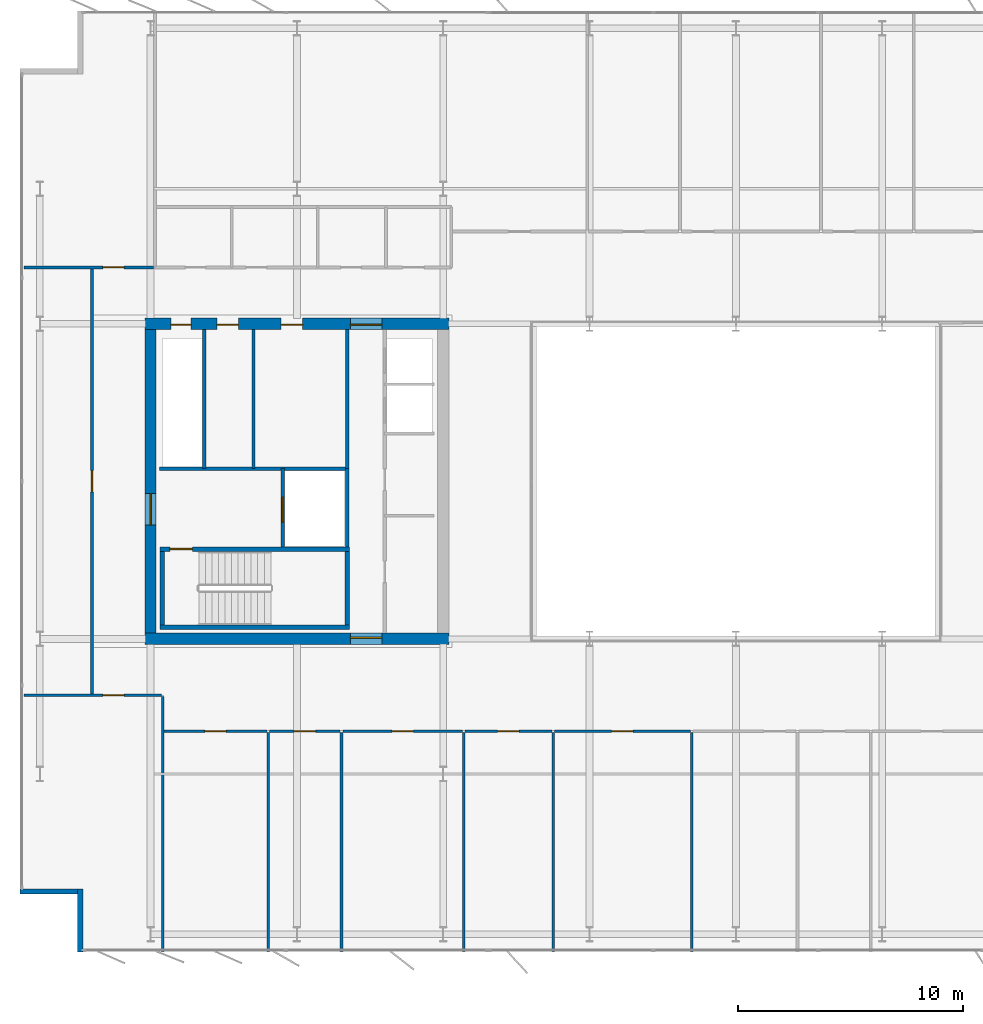
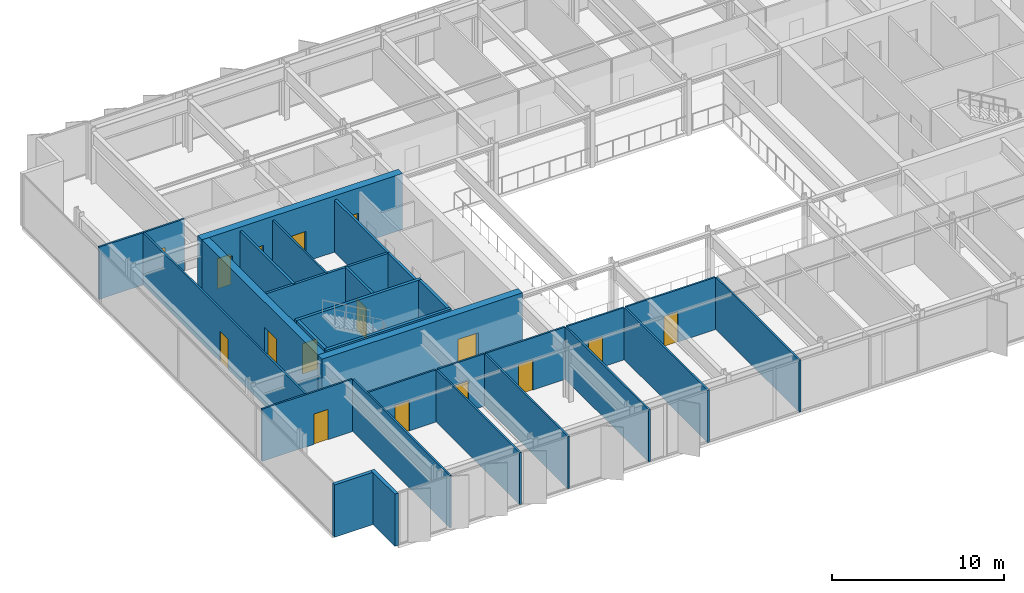
# One storey, part 13 of 20: 29 walls, 16 doors, 16 openings.
"""IFC4 building model written with IfcOpenShell, lengths in metres."""

from ifc_helpers import new_model, si_unit, direction, frame, frame_2d, origin, place, context, subcontext, project, spatial, rectangle, extrude, material, layer, layer_set, type_object, element, fill, save


model = new_model("IFC4")

# Units and contexts
model_context = context("Model", 3, precision=1e-05, world=origin(), true_north=direction((0.0, 1.0)))
body_context = subcontext(model_context, "Body", "Model", "MODEL_VIEW")
ifc_project = project(units=[si_unit("LENGTHUNIT", "METRE"), si_unit("AREAUNIT", "SQUARE_METRE"), si_unit("VOLUMEUNIT", "CUBIC_METRE"), si_unit("PLANEANGLEUNIT", "RADIAN"), si_unit("MASSUNIT", "GRAM", prefix="KILO")], contexts=[model_context])

# Site, building, storey
site_placement = place(None, origin())
site = spatial("IfcSite", under=ifc_project, at=site_placement, CompositionType="ELEMENT")
building_placement = place(site_placement, origin())
building = spatial("IfcBuilding", under=site, at=building_placement, Name="Putna Gate Headquarters", CompositionType="ELEMENT")
storey_placement = place(building_placement, frame((0.0, 0.0, 306.39990234375)))
storey = spatial("IfcBuildingStorey", under=building, at=storey_placement, Name="L77", CompositionType="ELEMENT", Elevation=306.39990234375)

# Wall, opening, door
ifc_material_1 = material(Name="Concrete C50/60", Category="concrete")
ifc_layer_1 = layer(ifc_material_1, 0.5)
ifc_layer_set_1 = layer_set([ifc_layer_1], Name="Concrete C50/60")
wall_type_1 = type_object("IfcWallType", Name="WALL-CORE-500", PredefinedType="SHEAR", material=ifc_layer_set_1)
wall_1_placement = place(storey_placement, frame((12.75, 19.0, 0.0), z_axis=(0.0, 0.0, 1.0), x_axis=(1.0, 0.0, 0.0)))
wall_1 = element("IfcWall", 1, at=wall_1_placement, inside=storey, type_object=wall_type_1, Name="L77 WC Split Core Shear Wall S", PredefinedType="SHEAR", context=body_context, shape_type="SweptSolid", body=[
    extrude(rectangle(XDim=13.5, YDim=0.5, at=frame_2d((6.75, 0.0))), origin(), (0.0, 0.0, 1.0), 4.0),
])
opening_1_placement = place(wall_1_placement, frame((9.1298828125, 0.0, 0.0)))
opening_1 = element("IfcOpeningElement", 2, at=opening_1_placement, cuts=wall_1, Name="Opening FDD-140", PredefinedType="OPENING", context=body_context, shape_type="SweptSolid", body=[
    extrude(rectangle(XDim=1.39990234375, YDim=2.199951171875, at=frame_2d((0.699951171875, 1.10009765625))), frame((0.0, 0.260009765625, 0.0), z_axis=(0.0, -1.0, 0.0), x_axis=(1.0, 0.0, 0.0)), (0.0, 0.0, 1.0), 0.52001953125),
])
ifc_material_2 = material(Name="Double steel fire door", Category="steel")
door_type_1 = type_object("IfcDoorType", Name="DOOR-FIRE-DBL-1400", OperationType="DOUBLE_DOOR_SINGLE_SWING", PredefinedType="DOOR", material=ifc_material_2)
door_1_placement = place(opening_1_placement, origin())
door_1 = element("IfcDoor", 3, at=door_1_placement, inside=storey, type_object=door_type_1, Name="L77 West Lift Lobby South Door", OperationType="DOUBLE_DOOR_SINGLE_SWING", OverallHeight=2.199951171875, OverallWidth=1.39990234375, PredefinedType="DOOR", context=body_context, shape_type="SweptSolid", body=[
    extrude(rectangle(XDim=1.39990234375, YDim=2.199951171875, at=frame_2d((0.699951171875, 1.10009765625))), frame((0.0, 0.0751953125, 0.0), z_axis=(0.0, -1.0, 0.0), x_axis=(1.0, 0.0, 0.0)), (0.0, 0.0, 1.0), 0.050048828125),
])
fill(opening_1, door_1)

# Wall, openings, doors
wall_2_placement = place(storey_placement, frame((12.75, 33.0, 0.0), z_axis=(0.0, 0.0, 1.0), x_axis=(1.0, 0.0, 0.0)))
wall_2 = element("IfcWall", 4, at=wall_2_placement, inside=storey, type_object=wall_type_1, Name="L77 WC Split Core Shear Wall N", PredefinedType="SHEAR", context=body_context, shape_type="SweptSolid", body=[
    extrude(rectangle(XDim=13.5, YDim=0.5, at=frame_2d((6.75, 0.0))), origin(), (0.0, 0.0, 1.0), 4.0),
])
opening_2_placement = place(wall_2_placement, frame((1.14990234375, 0.0, 0.0)))
opening_2 = element("IfcOpeningElement", 5, at=opening_2_placement, cuts=wall_2, Name="Opening RD-90", PredefinedType="OPENING", context=body_context, shape_type="SweptSolid", body=[
    extrude(rectangle(XDim=0.89990234375, YDim=2.14990234375, at=frame_2d((0.449951171875, 1.074951171875))), frame((0.0, 0.260009765625, 0.0), z_axis=(0.0, -1.0, 0.0), x_axis=(1.0, 0.0, 0.0)), (0.0, 0.0, 1.0), 0.52001953125),
])
opening_3_placement = place(wall_2_placement, frame((3.199951171875, 0.0, 0.0)))
opening_3 = element("IfcOpeningElement", 6, at=opening_3_placement, cuts=wall_2, Name="Opening IDS-95", PredefinedType="OPENING", context=body_context, shape_type="SweptSolid", body=[
    extrude(rectangle(XDim=0.949951171875, YDim=2.14990234375, at=frame_2d((0.47509765625, 1.074951171875))), frame((0.0, 0.260009765625, 0.0), z_axis=(0.0, -1.0, 0.0), x_axis=(1.0, 0.0, 0.0)), (0.0, 0.0, 1.0), 0.52001953125),
])
opening_4_placement = place(wall_2_placement, frame((6.050048828125, 0.0, 0.0)))
opening_4 = element("IfcOpeningElement", 7, at=opening_4_placement, cuts=wall_2, Name="Opening IDS-95", PredefinedType="OPENING", context=body_context, shape_type="SweptSolid", body=[
    extrude(rectangle(XDim=0.949951171875, YDim=2.14990234375, at=frame_2d((0.47509765625, 1.074951171875))), frame((0.0, 0.260009765625, 0.0), z_axis=(0.0, -1.0, 0.0), x_axis=(1.0, 0.0, 0.0)), (0.0, 0.0, 1.0), 0.52001953125),
])
opening_5_placement = place(wall_2_placement, frame((9.1298828125, 0.0, 0.0)))
opening_5 = element("IfcOpeningElement", 8, at=opening_5_placement, cuts=wall_2, Name="Opening FDD-140", PredefinedType="OPENING", context=body_context, shape_type="SweptSolid", body=[
    extrude(rectangle(XDim=1.39990234375, YDim=2.199951171875, at=frame_2d((0.699951171875, 1.10009765625))), frame((0.0, 0.260009765625, 0.0), z_axis=(0.0, -1.0, 0.0), x_axis=(1.0, 0.0, 0.0)), (0.0, 0.0, 1.0), 0.52001953125),
])
door_2_placement = place(opening_5_placement, origin())
door_2 = element("IfcDoor", 9, at=door_2_placement, inside=storey, type_object=door_type_1, Name="L77 West Lift Lobby North Door", OperationType="DOUBLE_DOOR_SINGLE_SWING", OverallHeight=2.199951171875, OverallWidth=1.39990234375, PredefinedType="DOOR", context=body_context, shape_type="SweptSolid", body=[
    extrude(rectangle(XDim=1.39990234375, YDim=2.199951171875, at=frame_2d((0.699951171875, 1.10009765625))), frame((0.0, -0.02490234375, 0.0), z_axis=(0.0, -1.0, 0.0), x_axis=(1.0, 0.0, 0.0)), (0.0, 0.0, 1.0), 0.050048828125),
])
fill(opening_5, door_2)
ifc_material_3 = material(Name="Fire-rated service timber door", Category="wood")
door_type_2 = type_object("IfcDoorType", Name="DOOR-INT-950", OperationType="NOTDEFINED", PredefinedType="DOOR", material=ifc_material_3)
door_3_placement = place(opening_3_placement, origin())
door_3 = element("IfcDoor", 10, at=door_3_placement, inside=storey, type_object=door_type_2, Name="L77 Archive Store Door", OperationType="SINGLE_SWING_LEFT", OverallHeight=2.14990234375, OverallWidth=0.949951171875, PredefinedType="DOOR", context=body_context, shape_type="SweptSolid", body=[
    extrude(rectangle(XDim=0.949951171875, YDim=2.14990234375, at=frame_2d((0.47509765625, 1.074951171875))), frame((0.0, -0.02490234375, 0.0), z_axis=(0.0, -1.0, 0.0), x_axis=(1.0, 0.0, 0.0)), (0.0, 0.0, 1.0), 0.050048828125),
])
fill(opening_3, door_3)
door_4_placement = place(opening_4_placement, origin())
door_4 = element("IfcDoor", 11, at=door_4_placement, inside=storey, type_object=door_type_2, Name="L77 Switchgear Plant Door", OperationType="SINGLE_SWING_RIGHT", OverallHeight=2.14990234375, OverallWidth=0.949951171875, PredefinedType="DOOR", context=body_context, shape_type="SweptSolid", body=[
    extrude(rectangle(XDim=0.949951171875, YDim=2.14990234375, at=frame_2d((0.47509765625, 1.074951171875))), frame((0.0, -0.02490234375, 0.0), z_axis=(0.0, -1.0, 0.0), x_axis=(1.0, 0.0, 0.0)), (0.0, 0.0, 1.0), 0.050048828125),
])
fill(opening_4, door_4)
ifc_material_4 = material(Name="Steel riser access fire door", Category="steel")
door_type_3 = type_object("IfcDoorType", Name="DOOR-RISER-900", OperationType="NOTDEFINED", PredefinedType="DOOR", material=ifc_material_4)
door_5_placement = place(opening_2_placement, origin())
door_5 = element("IfcDoor", 12, at=door_5_placement, inside=storey, type_object=door_type_3, Name="L77 West Riser Access Door", OperationType="SINGLE_SWING_RIGHT", OverallHeight=2.14990234375, OverallWidth=0.89990234375, PredefinedType="DOOR", context=body_context, shape_type="SweptSolid", body=[
    extrude(rectangle(XDim=0.89990234375, YDim=2.14990234375, at=frame_2d((0.449951171875, 1.074951171875))), frame((0.0, -0.02490234375, 0.0), z_axis=(0.0, -1.0, 0.0), x_axis=(1.0, 0.0, 0.0)), (0.0, 0.0, 1.0), 0.050048828125),
])
fill(opening_2, door_5)

# Wall, opening, door
wall_3_placement = place(storey_placement, frame((13.0, 19.25, 0.0), z_axis=(0.0, 0.0, 1.0), x_axis=(0.0, 1.0, 0.0)))
wall_3 = element("IfcWall", 13, at=wall_3_placement, inside=storey, type_object=wall_type_1, Name="L77 WC Split Core Shear Wall W", PredefinedType="SHEAR", context=body_context, shape_type="SweptSolid", body=[
    extrude(rectangle(XDim=13.5, YDim=0.5, at=frame_2d((6.75, 0.0))), origin(), (0.0, 0.0, 1.0), 4.0),
])
opening_6_placement = place(wall_3_placement, frame((4.800048828125, 0.0, 0.0)))
opening_6 = element("IfcOpeningElement", 14, at=opening_6_placement, cuts=wall_3, Name="Opening FDD-140", PredefinedType="OPENING", context=body_context, shape_type="SweptSolid", body=[
    extrude(rectangle(XDim=1.39990234375, YDim=2.199951171875, at=frame_2d((0.699951171875, 1.10009765625))), frame((0.0, 0.260009765625, 0.0), z_axis=(0.0, -1.0, 0.0), x_axis=(1.0, 0.0, 0.0)), (0.0, 0.0, 1.0), 0.52001953125),
])
door_6_placement = place(opening_6_placement, origin())
door_6 = element("IfcDoor", 15, at=door_6_placement, inside=storey, type_object=door_type_1, Name="L77 West Firefighting Lobby Door", OperationType="DOUBLE_DOOR_SINGLE_SWING", OverallHeight=2.199951171875, OverallWidth=1.39990234375, PredefinedType="DOOR", context=body_context, shape_type="SweptSolid", body=[
    extrude(rectangle(XDim=1.39990234375, YDim=2.199951171875, at=frame_2d((0.699951171875, 1.10009765625))), frame((0.0, 0.02490234375, 0.0), z_axis=(0.0, -1.0, 0.0), x_axis=(1.0, 0.0, 0.0)), (0.0, 0.0, 1.0), 0.050048828125),
])
fill(opening_6, door_6)

# Walls
ifc_material_5 = material(Name="Precast concrete C40/50", Category="concrete")
ifc_layer_2 = layer(ifc_material_5, 0.239990234375)
ifc_layer_set_2 = layer_set([ifc_layer_2], Name="Precast concrete C40/50")
wall_type_2 = type_object("IfcWallType", Name="WALL-EXT-TERR-240", PredefinedType="STANDARD", material=ifc_layer_set_2)
wall_4_placement = place(storey_placement, frame((9.8798828125, 5.10009765625, 0.0), z_axis=(0.0, 0.0, 1.0), x_axis=(0.0, 1.0, 0.0)))
element("IfcWall", 16, at=wall_4_placement, inside=storey, type_object=wall_type_2, Name="L77 Corner Notch Return Wall SW-V", PredefinedType="STANDARD", context=body_context, shape_type="SweptSolid", body=[
    extrude(rectangle(XDim=2.7998046875, YDim=0.239990234375, at=frame_2d((1.39990234375, 0.0))), origin(), (0.0, 0.0, 1.0), 3.72021484375),
])
wall_5_placement = place(storey_placement, frame((10.0, 7.780029296875, 0.0), z_axis=(0.0, 0.0, 1.0), x_axis=(-1.0, 0.0, 0.0)))
element("IfcWall", 17, at=wall_5_placement, inside=storey, type_object=wall_type_2, Name="L77 Corner Notch Return Wall SW-H", PredefinedType="STANDARD", context=body_context, shape_type="SweptSolid", body=[
    extrude(rectangle(XDim=2.800048828125, YDim=0.239990234375, at=frame_2d((1.39990234375, 0.0))), origin(), (0.0, 0.0, 1.0), 3.72021484375),
])
ifc_material_6 = material(Name="Acoustic gypsum board on metal stud")
ifc_layer_3 = layer(ifc_material_6, 0.1201171875)
ifc_layer_set_3 = layer_set([ifc_layer_3], Name="Acoustic gypsum board on metal stud")
wall_type_3 = type_object("IfcWallType", Name="WALL-PART-120", PredefinedType="PARTITIONING", material=ifc_layer_set_3)
wall_6_placement = place(storey_placement, frame((13.534912109375, 5.1201171875, 0.0), z_axis=(0.0, 0.0, 1.0), x_axis=(0.0, 1.0, 0.0)))
element("IfcWall", 18, at=wall_6_placement, inside=storey, type_object=wall_type_3, Name="L77 Interior Wall PART-L77-SB-DIV-01", PredefinedType="PARTITIONING", context=body_context, shape_type="SweptSolid", body=[
    extrude(rectangle(XDim=11.31982421875, YDim=0.1201171875, at=frame_2d((5.659912109375, 0.0))), origin(), (0.0, 0.0, 1.0), 3.72021484375),
])
for number, where, z_axis, x_axis, name in (
    (19, (18.232666015625, 5.1201171875, 0.0), (0.0, 0.0, 1.0), (0.0, 1.0, 0.0), "L77 Interior Wall PART-L77-SB-DIV-02"),
    (20, (21.479736328125, 5.1201171875, 0.0), (0.0, 0.0, 1.0), (0.0, 1.0, 0.0), "L77 Interior Wall PART-L77-SB-DIV-03"),
    (21, (26.909423828125, 5.1201171875, 0.0), (0.0, 0.0, 1.0), (0.0, 1.0, 0.0), "L77 Interior Wall PART-L77-SB-DIV-04"),
    (22, (30.8818359375, 5.1201171875, 0.0), (0.0, 0.0, 1.0), (0.0, 1.0, 0.0), "L77 Interior Wall PART-L77-SB-DIV-05"),
    (23, (37.036865234375, 5.1201171875, 0.0), (0.0, 0.0, 1.0), (0.0, 1.0, 0.0), "L77 Interior Wall PART-L77-SB-DIV-06"),
):
    element("IfcWall", number, at=place(storey_placement, frame(where, z_axis=z_axis, x_axis=x_axis)), inside=storey, type_object=wall_type_3, Name=name, PredefinedType="PARTITIONING", context=body_context, shape_type="SweptSolid", body=[
        extrude(rectangle(XDim=9.719970703125, YDim=0.1201171875, at=frame_2d((4.85986328125, 0.0))), origin(), (0.0, 0.0, 1.0), 3.72021484375),
    ])
ifc_material_7 = material(Name="Fire-rated gypsum board on metal stud")
ifc_layer_4 = layer(ifc_material_7, 0.1201171875)
ifc_layer_set_4 = layer_set([ifc_layer_4], Name="Fire-rated gypsum board on metal stud")
wall_type_4 = type_object("IfcWallType", Name="WALL-PART-120-RATED", PredefinedType="PARTITIONING", material=ifc_layer_set_4)
wall_7_placement = place(storey_placement, frame((17.570068359375, 26.56005859375, 0.0), z_axis=(0.0, 0.0, 1.0), x_axis=(0.0, 1.0, 0.0)))
element("IfcWall", 24, at=wall_7_placement, inside=storey, type_object=wall_type_4, Name="L77 Interior Wall CWINT-L77-WC-K1-DIV", PredefinedType="PARTITIONING", context=body_context, shape_type="SweptSolid", body=[
    extrude(rectangle(XDim=6.18994140625, YDim=0.1201171875, at=frame_2d((3.094970703125, 0.0))), origin(), (0.0, 0.0, 1.0), 3.72021484375),
])

# Wall, opening, door
wall_8_placement = place(storey_placement, frame((7.3798828125, 35.5, 0.0), z_axis=(0.0, 0.0, 1.0), x_axis=(1.0, 0.0, 0.0)))
wall_8 = element("IfcWall", 25, at=wall_8_placement, inside=storey, type_object=wall_type_4, Name="L77 Interior Wall PART-L77-NB-CW-01", PredefinedType="PARTITIONING", context=body_context, shape_type="SweptSolid", body=[
    extrude(rectangle(XDim=5.760009765625, YDim=0.1201171875, at=frame_2d((2.8798828125, 0.0))), origin(), (0.0, 0.0, 1.0), 3.72021484375),
])
opening_7_placement = place(wall_8_placement, frame((3.5, 0.0, 0.0)))
opening_7 = element("IfcOpeningElement", 26, at=opening_7_placement, cuts=wall_8, Name="Opening FD-95", PredefinedType="OPENING", context=body_context, shape_type="SweptSolid", body=[
    extrude(rectangle(XDim=0.949951171875, YDim=2.14990234375, at=frame_2d((0.47509765625, 1.074951171875))), frame((0.0, 0.070068359375, 0.0), z_axis=(0.0, -1.0, 0.0), x_axis=(1.0, 0.0, 0.0)), (0.0, 0.0, 1.0), 0.14013671875),
])
ifc_material_8 = material(Name="Acoustic timber fire door", Category="wood")
door_type_4 = type_object("IfcDoorType", Name="DOOR-FIRE-950", OperationType="NOTDEFINED", PredefinedType="DOOR", material=ifc_material_8)
door_7_placement = place(opening_7_placement, origin())
door_7 = element("IfcDoor", 27, at=door_7_placement, inside=storey, type_object=door_type_4, Name="L77 Cellular Office 4 Door", OperationType="SINGLE_SWING_RIGHT", OverallHeight=2.14990234375, OverallWidth=0.949951171875, PredefinedType="DOOR", context=body_context, shape_type="SweptSolid", body=[
    extrude(rectangle(XDim=0.949951171875, YDim=2.14990234375, at=frame_2d((0.47509765625, 1.074951171875))), frame((0.0, 0.02490234375, 0.0), z_axis=(0.0, -1.0, 0.0), x_axis=(1.0, 0.0, 0.0)), (0.0, 0.0, 1.0), 0.050048828125),
])
fill(opening_7, door_7)

wall_9_placement = place(storey_placement, frame((7.3798828125, 16.5, 0.0), z_axis=(0.0, 0.0, 1.0), x_axis=(1.0, 0.0, 0.0)))
wall_9 = element("IfcWall", 28, at=wall_9_placement, inside=storey, type_object=wall_type_4, Name="L77 Interior Wall PART-L77-SB-CW-01", PredefinedType="PARTITIONING", context=body_context, shape_type="SweptSolid", body=[
    extrude(rectangle(XDim=6.09521484375, YDim=0.1201171875, at=frame_2d((3.047607421875, 0.0))), origin(), (0.0, 0.0, 1.0), 3.72021484375),
])
opening_8_placement = place(wall_9_placement, frame((3.5, 0.0, 0.0)))
opening_8 = element("IfcOpeningElement", 29, at=opening_8_placement, cuts=wall_9, Name="Opening FD-95", PredefinedType="OPENING", context=body_context, shape_type="SweptSolid", body=[
    extrude(rectangle(XDim=0.949951171875, YDim=2.14990234375, at=frame_2d((0.47509765625, 1.074951171875))), frame((0.0, 0.070068359375, 0.0), z_axis=(0.0, -1.0, 0.0), x_axis=(1.0, 0.0, 0.0)), (0.0, 0.0, 1.0), 0.14013671875),
])
door_8_placement = place(opening_8_placement, origin())
door_8 = element("IfcDoor", 30, at=door_8_placement, inside=storey, type_object=door_type_4, Name="L77 Cellular Office 6 Door", OperationType="SINGLE_SWING_RIGHT", OverallHeight=2.14990234375, OverallWidth=0.949951171875, PredefinedType="DOOR", context=body_context, shape_type="SweptSolid", body=[
    extrude(rectangle(XDim=0.949951171875, YDim=2.14990234375, at=frame_2d((0.47509765625, 1.074951171875))), frame((0.0, 0.02490234375, 0.0), z_axis=(0.0, -1.0, 0.0), x_axis=(1.0, 0.0, 0.0)), (0.0, 0.0, 1.0), 0.050048828125),
])
fill(opening_8, door_8)

wall_10_placement = place(storey_placement, frame((13.594970703125, 14.89990234375, 0.0), z_axis=(0.0, 0.0, 1.0), x_axis=(1.0, 0.0, 0.0)))
wall_10 = element("IfcWall", 31, at=wall_10_placement, inside=storey, type_object=wall_type_4, Name="L77 Interior Wall PART-L77-SB-CW-02", PredefinedType="PARTITIONING", context=body_context, shape_type="SweptSolid", body=[
    extrude(rectangle(XDim=4.57763671875, YDim=0.1201171875, at=frame_2d((2.288818359375, 0.0))), origin(), (0.0, 0.0, 1.0), 3.72021484375),
])
opening_9_placement = place(wall_10_placement, frame((1.81396484375, 0.0, 0.0)))
opening_9 = element("IfcOpeningElement", 32, at=opening_9_placement, cuts=wall_10, Name="Opening FD-95", PredefinedType="OPENING", context=body_context, shape_type="SweptSolid", body=[
    extrude(rectangle(XDim=0.949951171875, YDim=2.14990234375, at=frame_2d((0.47509765625, 1.074951171875))), frame((0.0, 0.070068359375, 0.0), z_axis=(0.0, -1.0, 0.0), x_axis=(1.0, 0.0, 0.0)), (0.0, 0.0, 1.0), 0.14013671875),
])
door_9_placement = place(opening_9_placement, origin())
door_9 = element("IfcDoor", 33, at=door_9_placement, inside=storey, type_object=door_type_4, Name="L77 Conference Meeting Room 6 Door", OperationType="SINGLE_SWING_LEFT", OverallHeight=2.14990234375, OverallWidth=0.949951171875, PredefinedType="DOOR", context=body_context, shape_type="SweptSolid", body=[
    extrude(rectangle(XDim=0.949951171875, YDim=2.14990234375, at=frame_2d((0.47509765625, 1.074951171875))), frame((0.0, 0.02490234375, 0.0), z_axis=(0.0, -1.0, 0.0), x_axis=(1.0, 0.0, 0.0)), (0.0, 0.0, 1.0), 0.050048828125),
])
fill(opening_9, door_9)

wall_11_placement = place(storey_placement, frame((18.292724609375, 14.89990234375, 0.0), z_axis=(0.0, 0.0, 1.0), x_axis=(1.0, 0.0, 0.0)))
wall_11 = element("IfcWall", 34, at=wall_11_placement, inside=storey, type_object=wall_type_4, Name="L77 Interior Wall PART-L77-SB-CW-03", PredefinedType="PARTITIONING", context=body_context, shape_type="SweptSolid", body=[
    extrude(rectangle(XDim=3.127197265625, YDim=0.1201171875, at=frame_2d((1.5634765625, 0.0))), origin(), (0.0, 0.0, 1.0), 3.72021484375),
])
opening_10_placement = place(wall_11_placement, frame((1.088623046875, 0.0, 0.0)))
opening_10 = element("IfcOpeningElement", 35, at=opening_10_placement, cuts=wall_11, Name="Opening FD-95", PredefinedType="OPENING", context=body_context, shape_type="SweptSolid", body=[
    extrude(rectangle(XDim=0.949951171875, YDim=2.14990234375, at=frame_2d((0.47509765625, 1.074951171875))), frame((0.0, 0.070068359375, 0.0), z_axis=(0.0, -1.0, 0.0), x_axis=(1.0, 0.0, 0.0)), (0.0, 0.0, 1.0), 0.14013671875),
])
door_10_placement = place(opening_10_placement, origin())
door_10 = element("IfcDoor", 36, at=door_10_placement, inside=storey, type_object=door_type_4, Name="L77 Conference Meeting Room 7 Door", OperationType="SINGLE_SWING_RIGHT", OverallHeight=2.14990234375, OverallWidth=0.949951171875, PredefinedType="DOOR", context=body_context, shape_type="SweptSolid", body=[
    extrude(rectangle(XDim=0.949951171875, YDim=2.14990234375, at=frame_2d((0.47509765625, 1.074951171875))), frame((0.0, 0.02490234375, 0.0), z_axis=(0.0, -1.0, 0.0), x_axis=(1.0, 0.0, 0.0)), (0.0, 0.0, 1.0), 0.050048828125),
])
fill(opening_10, door_10)

wall_12_placement = place(storey_placement, frame((21.539794921875, 14.89990234375, 0.0), z_axis=(0.0, 0.0, 1.0), x_axis=(1.0, 0.0, 0.0)))
wall_12 = element("IfcWall", 37, at=wall_12_placement, inside=storey, type_object=wall_type_4, Name="L77 Interior Wall PART-L77-SB-CW-04", PredefinedType="PARTITIONING", context=body_context, shape_type="SweptSolid", body=[
    extrude(rectangle(XDim=5.309814453125, YDim=0.1201171875, at=frame_2d((2.65478515625, 0.0))), origin(), (0.0, 0.0, 1.0), 3.72021484375),
])
opening_11_placement = place(wall_12_placement, frame((2.179931640625, 0.0, 0.0)))
opening_11 = element("IfcOpeningElement", 38, at=opening_11_placement, cuts=wall_12, Name="Opening FD-95", PredefinedType="OPENING", context=body_context, shape_type="SweptSolid", body=[
    extrude(rectangle(XDim=0.949951171875, YDim=2.14990234375, at=frame_2d((0.47509765625, 1.074951171875))), frame((0.0, 0.070068359375, 0.0), z_axis=(0.0, -1.0, 0.0), x_axis=(1.0, 0.0, 0.0)), (0.0, 0.0, 1.0), 0.14013671875),
])
door_11_placement = place(opening_11_placement, origin())
door_11 = element("IfcDoor", 39, at=door_11_placement, inside=storey, type_object=door_type_4, Name="L77 Conference Meeting Room 8 Door", OperationType="SINGLE_SWING_LEFT", OverallHeight=2.14990234375, OverallWidth=0.949951171875, PredefinedType="DOOR", context=body_context, shape_type="SweptSolid", body=[
    extrude(rectangle(XDim=0.949951171875, YDim=2.14990234375, at=frame_2d((0.47509765625, 1.074951171875))), frame((0.0, 0.02490234375, 0.0), z_axis=(0.0, -1.0, 0.0), x_axis=(1.0, 0.0, 0.0)), (0.0, 0.0, 1.0), 0.050048828125),
])
fill(opening_11, door_11)

wall_13_placement = place(storey_placement, frame((26.969482421875, 14.89990234375, 0.0), z_axis=(0.0, 0.0, 1.0), x_axis=(1.0, 0.0, 0.0)))
wall_13 = element("IfcWall", 40, at=wall_13_placement, inside=storey, type_object=wall_type_4, Name="L77 Interior Wall PART-L77-SB-CW-05", PredefinedType="PARTITIONING", context=body_context, shape_type="SweptSolid", body=[
    extrude(rectangle(XDim=3.8525390625, YDim=0.1201171875, at=frame_2d((1.92626953125, 0.0))), origin(), (0.0, 0.0, 1.0), 3.72021484375),
])
opening_12_placement = place(wall_13_placement, frame((1.451171875, 0.0, 0.0)))
opening_12 = element("IfcOpeningElement", 41, at=opening_12_placement, cuts=wall_13, Name="Opening FD-95", PredefinedType="OPENING", context=body_context, shape_type="SweptSolid", body=[
    extrude(rectangle(XDim=0.949951171875, YDim=2.14990234375, at=frame_2d((0.47509765625, 1.074951171875))), frame((0.0, 0.070068359375, 0.0), z_axis=(0.0, -1.0, 0.0), x_axis=(1.0, 0.0, 0.0)), (0.0, 0.0, 1.0), 0.14013671875),
])
door_12_placement = place(opening_12_placement, origin())
door_12 = element("IfcDoor", 42, at=door_12_placement, inside=storey, type_object=door_type_4, Name="L77 Collaborative Breakout Lounge 1 Door", OperationType="SINGLE_SWING_RIGHT", OverallHeight=2.14990234375, OverallWidth=0.949951171875, PredefinedType="DOOR", context=body_context, shape_type="SweptSolid", body=[
    extrude(rectangle(XDim=0.949951171875, YDim=2.14990234375, at=frame_2d((0.47509765625, 1.074951171875))), frame((0.0, 0.02490234375, 0.0), z_axis=(0.0, -1.0, 0.0), x_axis=(1.0, 0.0, 0.0)), (0.0, 0.0, 1.0), 0.050048828125),
])
fill(opening_12, door_12)

wall_14_placement = place(storey_placement, frame((30.94189453125, 14.89990234375, 0.0), z_axis=(0.0, 0.0, 1.0), x_axis=(1.0, 0.0, 0.0)))
wall_14 = element("IfcWall", 43, at=wall_14_placement, inside=storey, type_object=wall_type_4, Name="L77 Interior Wall PART-L77-SB-CW-06", PredefinedType="PARTITIONING", context=body_context, shape_type="SweptSolid", body=[
    extrude(rectangle(XDim=6.034912109375, YDim=0.1201171875, at=frame_2d((3.017578125, 0.0))), origin(), (0.0, 0.0, 1.0), 3.72021484375),
])
opening_13_placement = place(wall_14_placement, frame((2.54248046875, 0.0, 0.0)))
opening_13 = element("IfcOpeningElement", 44, at=opening_13_placement, cuts=wall_14, Name="Opening FD-95", PredefinedType="OPENING", context=body_context, shape_type="SweptSolid", body=[
    extrude(rectangle(XDim=0.949951171875, YDim=2.14990234375, at=frame_2d((0.47509765625, 1.074951171875))), frame((0.0, 0.070068359375, 0.0), z_axis=(0.0, -1.0, 0.0), x_axis=(1.0, 0.0, 0.0)), (0.0, 0.0, 1.0), 0.14013671875),
])
door_13_placement = place(opening_13_placement, origin())
door_13 = element("IfcDoor", 45, at=door_13_placement, inside=storey, type_object=door_type_4, Name="L77 Collaborative Breakout Lounge 2 Door", OperationType="SINGLE_SWING_LEFT", OverallHeight=2.14990234375, OverallWidth=0.949951171875, PredefinedType="DOOR", context=body_context, shape_type="SweptSolid", body=[
    extrude(rectangle(XDim=0.949951171875, YDim=2.14990234375, at=frame_2d((0.47509765625, 1.074951171875))), frame((0.0, 0.02490234375, 0.0), z_axis=(0.0, -1.0, 0.0), x_axis=(1.0, 0.0, 0.0)), (0.0, 0.0, 1.0), 0.050048828125),
])
fill(opening_13, door_13)

wall_15_placement = place(storey_placement, frame((10.39990234375, 16.5, 0.0), z_axis=(0.0, 0.0, 1.0), x_axis=(0.0, 1.0, 0.0)))
wall_15 = element("IfcWall", 46, at=wall_15_placement, inside=storey, type_object=wall_type_4, Name="L77 Interior Wall PART-L77-WW-CW-1", PredefinedType="PARTITIONING", context=body_context, shape_type="SweptSolid", body=[
    extrude(rectangle(XDim=19.0, YDim=0.1201171875, at=frame_2d((9.5, 0.0))), origin(), (0.0, 0.0, 1.0), 3.72021484375),
])
opening_14_placement = place(wall_15_placement, frame((9.02490234375, 0.0, 0.0)))
opening_14 = element("IfcOpeningElement", 47, at=opening_14_placement, cuts=wall_15, Name="Opening FD-95", PredefinedType="OPENING", context=body_context, shape_type="SweptSolid", body=[
    extrude(rectangle(XDim=0.949951171875, YDim=2.14990234375, at=frame_2d((0.47509765625, 1.074951171875))), frame((0.0, 0.070068359375, 0.0), z_axis=(0.0, -1.0, 0.0), x_axis=(1.0, 0.0, 0.0)), (0.0, 0.0, 1.0), 0.14013671875),
])
door_14_placement = place(opening_14_placement, origin())
door_14 = element("IfcDoor", 48, at=door_14_placement, inside=storey, type_object=door_type_4, Name="L77 West Project Meeting Room 1 Door", OperationType="SINGLE_SWING_RIGHT", OverallHeight=2.14990234375, OverallWidth=0.949951171875, PredefinedType="DOOR", context=body_context, shape_type="SweptSolid", body=[
    extrude(rectangle(XDim=0.949951171875, YDim=2.14990234375, at=frame_2d((0.47509765625, 1.074951171875))), frame((0.0, 0.02490234375, 0.0), z_axis=(0.0, -1.0, 0.0), x_axis=(1.0, 0.0, 0.0)), (0.0, 0.0, 1.0), 0.050048828125),
])
fill(opening_14, door_14)

# Wall
ifc_material_9 = material(Name="Concrete C40/50", Category="concrete")
ifc_layer_5 = layer(ifc_material_9, 0.159912109375)
ifc_layer_set_5 = layer_set([ifc_layer_5], Name="Concrete C40/50")
wall_type_5 = type_object("IfcWallType", Name="WALL-SHAFT-160", PredefinedType="STANDARD", material=ifc_layer_set_5)
wall_16_placement = place(storey_placement, frame((21.739990234375, 23.090087890625, 0.0), z_axis=(0.0, 0.0, 1.0), x_axis=(0.0, 1.0, 0.0)))
element("IfcWall", 49, at=wall_16_placement, inside=storey, type_object=wall_type_5, Name="L77 Interior Wall CWINT-L77-WC-FFL-E", PredefinedType="STANDARD", context=body_context, shape_type="SweptSolid", body=[
    extrude(rectangle(XDim=3.469970703125, YDim=0.159912109375, at=frame_2d((1.73486328125, 0.0))), origin(), (0.0, 0.0, 1.0), 3.72021484375),
])

# Wall, opening, door
wall_17_placement = place(storey_placement, frame((18.8798828125, 23.090087890625, 0.0), z_axis=(0.0, 0.0, 1.0), x_axis=(0.0, 1.0, 0.0)))
wall_17 = element("IfcWall", 50, at=wall_17_placement, inside=storey, type_object=wall_type_5, Name="L77 Interior Wall CWINT-L77-WC-LF13-W", PredefinedType="STANDARD", context=body_context, shape_type="SweptSolid", body=[
    extrude(rectangle(XDim=3.469970703125, YDim=0.159912109375, at=frame_2d((1.73486328125, 0.0))), origin(), (0.0, 0.0, 1.0), 3.72021484375),
])
opening_15_placement = place(wall_17_placement, frame((1.10009765625, 0.0, 0.0)))
opening_15 = element("IfcOpeningElement", 51, at=opening_15_placement, cuts=wall_17, Name="Opening LD-1", PredefinedType="OPENING", context=body_context, shape_type="SweptSolid", body=[
    extrude(rectangle(XDim=1.10009765625, YDim=2.199951171875, at=frame_2d((0.550048828125, 1.10009765625))), frame((0.0, 0.08984375, 0.0), z_axis=(0.0, -1.0, 0.0), x_axis=(1.0, 0.0, 0.0)), (0.0, 0.0, 1.0), 0.179931640625),
])
ifc_material_10 = material(Name="Brushed bronze stainless lift landing door")
door_type_5 = type_object("IfcDoorType", Name="DOOR-LIFT-1100", OperationType="DOUBLE_DOOR_SLIDING", PredefinedType="DOOR", material=ifc_material_10)
door_15_placement = place(opening_15_placement, origin())
door_15 = element("IfcDoor", 52, at=door_15_placement, inside=storey, type_object=door_type_5, Name="L77 Lift Landing Door LD-13", OperationType="DOUBLE_DOOR_SLIDING", OverallHeight=2.199951171875, OverallWidth=1.10009765625, PredefinedType="DOOR", context=body_context, shape_type="SweptSolid", body=[
    extrude(rectangle(XDim=1.10009765625, YDim=2.199951171875, at=frame_2d((0.550048828125, 1.10009765625))), frame((0.0, 0.02490234375, 0.0), z_axis=(0.0, -1.0, 0.0), x_axis=(1.0, 0.0, 0.0)), (0.0, 0.0, 1.0), 0.050048828125),
])
fill(opening_15, door_15)

# Walls
wall_18_placement = place(storey_placement, frame((13.39990234375, 26.56005859375, 0.0), z_axis=(0.0, 0.0, 1.0), x_axis=(1.0, 0.0, 0.0)))
element("IfcWall", 53, at=wall_18_placement, inside=storey, type_object=wall_type_5, Name="L77 Interior Wall CWINT-L77-WC-FFL-N", PredefinedType="STANDARD", context=body_context, shape_type="SweptSolid", body=[
    extrude(rectangle(XDim=8.340087890625, YDim=0.159912109375, at=frame_2d((4.169921875, 0.0))), origin(), (0.0, 0.0, 1.0), 3.72021484375),
])
for number, where, z_axis, x_axis, name in (
    (54, (15.3798828125, 26.56005859375, 0.0), (0.0, 0.0, 1.0), (0.0, 1.0, 0.0), "L77 Interior Wall CWINT-L77-WC-RISER-E"),
    (55, (21.739990234375, 26.56005859375, 0.0), (0.0, 0.0, 1.0), (0.0, 1.0, 0.0), "L77 Interior Wall CWINT-L77-WC-LOB-W"),
):
    element("IfcWall", number, at=place(storey_placement, frame(where, z_axis=z_axis, x_axis=x_axis)), inside=storey, type_object=wall_type_5, Name=name, PredefinedType="STANDARD", context=body_context, shape_type="SweptSolid", body=[
        extrude(rectangle(XDim=6.18994140625, YDim=0.159912109375, at=frame_2d((3.094970703125, 0.0))), origin(), (0.0, 0.0, 1.0), 3.72021484375),
    ])
ifc_layer_6 = layer(ifc_material_9, 0.199951171875)
ifc_layer_set_6 = layer_set([ifc_layer_6], Name="Concrete C40/50")
wall_type_6 = type_object("IfcWallType", Name="WALL-SHAFT-RC200", PredefinedType="SHEAR", material=ifc_layer_set_6)
wall_19_placement = place(storey_placement, frame((13.409912109375, 19.510009765625, 0.0), z_axis=(0.0, 0.0, 1.0), x_axis=(1.0, 0.0, 0.0)))
element("IfcWall", 56, at=wall_19_placement, inside=storey, type_object=wall_type_6, Name="L77 Stair ST1 Structural Shaft Wall S", PredefinedType="SHEAR", context=body_context, shape_type="SweptSolid", body=[
    extrude(rectangle(XDim=8.43017578125, YDim=0.199951171875, at=frame_2d((4.215087890625, 0.0))), origin(), (0.0, 0.0, 1.0), 4.0),
])

# Wall, opening, door
wall_20_placement = place(storey_placement, frame((13.409912109375, 22.989990234375, 0.0), z_axis=(0.0, 0.0, 1.0), x_axis=(1.0, 0.0, 0.0)))
wall_20 = element("IfcWall", 57, at=wall_20_placement, inside=storey, type_object=wall_type_6, Name="L77 Stair ST1 Structural Shaft Wall N", PredefinedType="SHEAR", context=body_context, shape_type="SweptSolid", body=[
    extrude(rectangle(XDim=8.43017578125, YDim=0.199951171875, at=frame_2d((4.215087890625, 0.0))), origin(), (0.0, 0.0, 1.0), 4.0),
])
opening_16_placement = place(wall_20_placement, frame((0.449951171875, 0.0, 0.0)))
opening_16 = element("IfcOpeningElement", 58, at=opening_16_placement, cuts=wall_20, Name="Opening FD-100", PredefinedType="OPENING", context=body_context, shape_type="SweptSolid", body=[
    extrude(rectangle(XDim=1.0, YDim=2.14990234375, at=frame_2d((0.5, 1.074951171875))), frame((0.0, 0.10986328125, 0.0), z_axis=(0.0, -1.0, 0.0), x_axis=(1.0, 0.0, 0.0)), (0.0, 0.0, 1.0), 0.219970703125),
])
ifc_material_11 = material(Name="Powder-coated steel fire door", Category="steel")
door_type_6 = type_object("IfcDoorType", Name="DOOR-FIRE-1000", OperationType="NOTDEFINED", PredefinedType="DOOR", material=ifc_material_11)
door_16_placement = place(opening_16_placement, origin())
door_16 = element("IfcDoor", 59, at=door_16_placement, inside=storey, type_object=door_type_6, Name="L77 Stair ST1 Fire Door", OperationType="SINGLE_SWING_LEFT", OverallHeight=2.14990234375, OverallWidth=1.0, PredefinedType="DOOR", context=body_context, shape_type="SweptSolid", body=[
    extrude(rectangle(XDim=1.0, YDim=2.14990234375, at=frame_2d((0.5, 1.074951171875))), frame((0.0, 0.02490234375, 0.0), z_axis=(0.0, -1.0, 0.0), x_axis=(1.0, 0.0, 0.0)), (0.0, 0.0, 1.0), 0.050048828125),
])
fill(opening_16, door_16)

# Walls
for number, where, z_axis, x_axis, name in (
    (60, (13.510009765625, 19.610107421875, 0.0), (0.0, 0.0, 1.0), (0.0, 1.0, 0.0), "L77 Stair ST1 Structural Shaft Wall W"),
    (61, (21.739990234375, 19.610107421875, 0.0), (0.0, 0.0, 1.0), (0.0, 1.0, 0.0), "L77 Stair ST1 Structural Shaft Wall E"),
):
    element("IfcWall", number, at=place(storey_placement, frame(where, z_axis=z_axis, x_axis=x_axis)), inside=storey, type_object=wall_type_6, Name=name, PredefinedType="SHEAR", context=body_context, shape_type="SweptSolid", body=[
        extrude(rectangle(XDim=3.27978515625, YDim=0.199951171875, at=frame_2d((1.639892578125, 0.0))), origin(), (0.0, 0.0, 1.0), 4.0),
    ])

save(model, "model.ifc")
